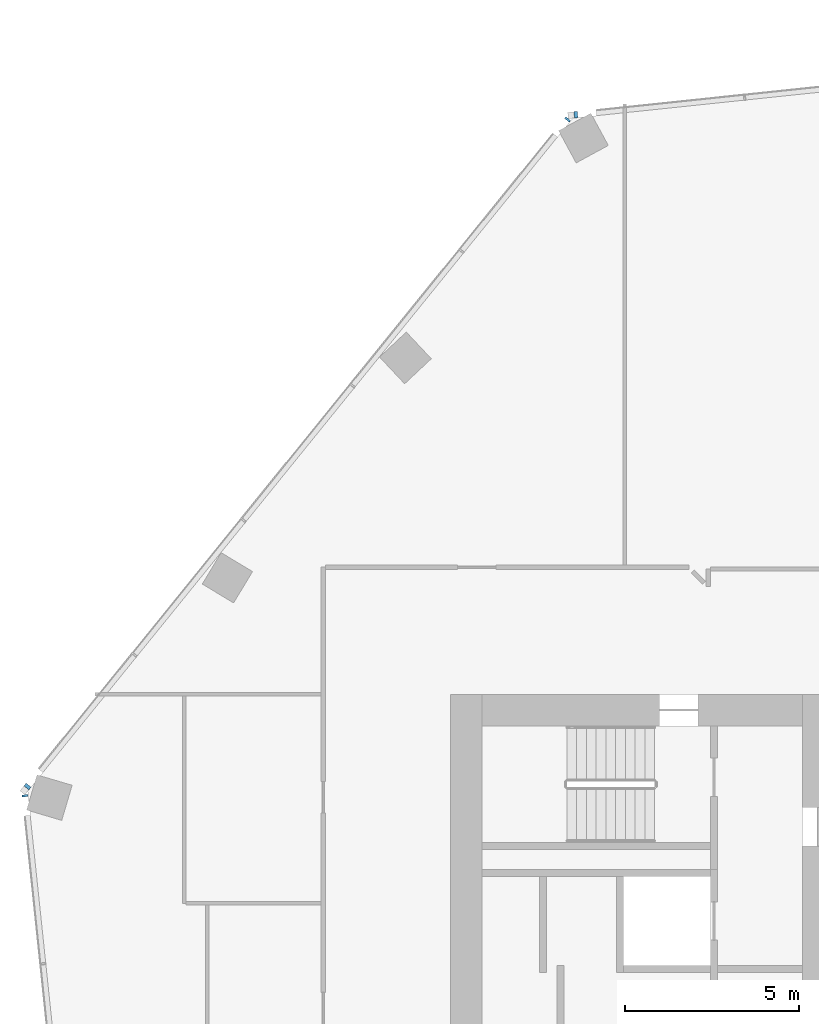
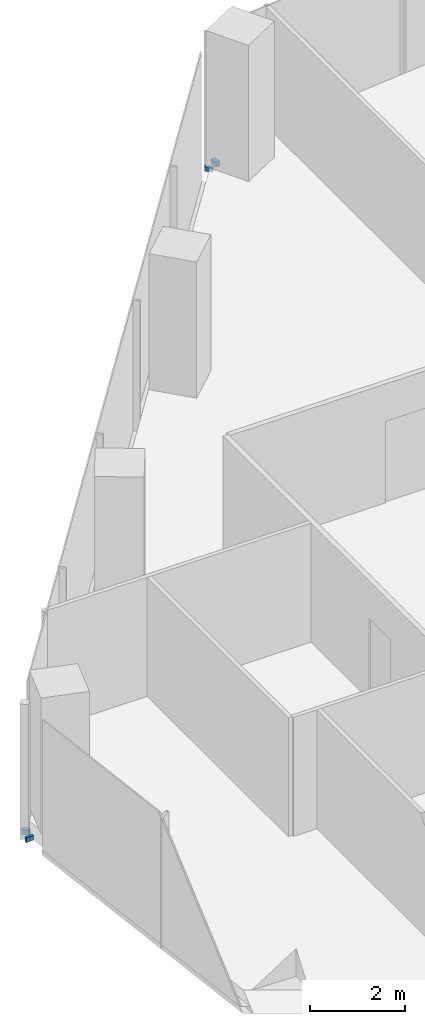
# One storey, part 16 of 26: 4 members, 3 elements without a shape of their own.
"""IFC4 building model written with IfcOpenShell, lengths in metres."""

import ifcopenshell
import ifcopenshell.guid

model = None  # the IFC model being written
_history = None  # IfcOwnerHistory: only IFC2X3 demands one
_inside = {}  # id of a spatial element -> (the spatial element, [elements in it])
_under = {}  # id of a project, library or spatial element -> (it, [spatial elements below it])
_declared = {}  # id of a project -> (the project, [libraries it declares])
_typed = {}  # id of a type object -> (the type object, [elements of that type])
_made_of = {}  # id of a material, layer set ... -> (it, [elements and type objects made of it])


def new_model(schema):
    """Start an empty IFC model of exactly this schema.

    Asked for "IFC4X3", IfcOpenShell would pick the latest addendum, in which some entities
    have other attributes; the version numbers below select the first issue.
    IFC2X3 requires an IfcOwnerHistory on every rooted entity: one is made here for all.
    """
    global model, _history
    if schema == "IFC4X3":
        model = ifcopenshell.file(schema_version=(4, 3, 0, 0))
    else:
        model = ifcopenshell.file(schema=schema)
    _inside.clear()
    _under.clear()
    _declared.clear()
    _typed.clear()
    _made_of.clear()
    _history = None
    if model.schema == "IFC2X3":
        org = make("IfcOrganization", Name="unknown")
        user = make(
            "IfcPersonAndOrganization",
            ThePerson=make("IfcPerson", FamilyName="unknown"),
            TheOrganization=org,
        )
        app = make(
            "IfcApplication",
            ApplicationDeveloper=org,
            Version="unknown",
            ApplicationFullName="unknown",
            ApplicationIdentifier="unknown",
        )
        _history = make(
            "IfcOwnerHistory",
            OwningUser=user,
            OwningApplication=app,
            ChangeAction="ADDED",
            CreationDate=0,
        )
    return model


def make(cls, **values):
    """One entity of the class cls with the attributes given. An attribute that is None is left unset."""
    return model.create_entity(
        cls, **{name: value for name, value in values.items() if value is not None}
    )


def rooted(cls, **values):
    """An entity with a GlobalId (a new one), such as an element, a storey or a relation."""
    return make(cls, GlobalId=ifcopenshell.guid.new(), OwnerHistory=_history, **values)


def si_unit(unit_type, name, prefix=None):
    """IfcSIUnit, for example si_unit("LENGTHUNIT", "METRE", prefix="MILLI")."""
    return make("IfcSIUnit", UnitType=unit_type, Prefix=prefix, Name=name)


def assignment(units):
    """IfcUnitAssignment: the units of a project."""
    return None if units is None else make("IfcUnitAssignment", Units=units)


def point(xyz):
    """IfcCartesianPoint."""
    return None if xyz is None else make("IfcCartesianPoint", Coordinates=xyz)


def direction(xyz):
    """IfcDirection."""
    return None if xyz is None else make("IfcDirection", DirectionRatios=xyz)


def frame(location, z_axis=None, x_axis=None):
    """IfcAxis2Placement3D, a coordinate frame: its origin and axes. An axis left out is left unset."""
    return make(
        "IfcAxis2Placement3D",
        Location=point(location),
        Axis=direction(z_axis),
        RefDirection=direction(x_axis),
    )


def frame_2d(location, x_axis=None):
    """IfcAxis2Placement2D, a coordinate frame in the plane: its origin and x axis."""
    return make(
        "IfcAxis2Placement2D", Location=point(location), RefDirection=direction(x_axis)
    )


def origin():
    """The frame at (0, 0, 0) with its axes left unset."""
    return frame((0.0, 0.0, 0.0))


def origin_2d():
    """The frame at (0, 0) in the plane with its x axis left unset."""
    return frame_2d((0.0, 0.0))


def place(relative_to, where):
    """IfcLocalPlacement: puts the frame where relative to a parent placement (None: the world)."""
    return make(
        "IfcLocalPlacement", PlacementRelTo=relative_to, RelativePlacement=where
    )


def context(
    kind, dimensions, precision=None, world=None, true_north=None, identifier=None
):
    """IfcGeometricRepresentationContext, for example the 3D "Model" context."""
    return make(
        "IfcGeometricRepresentationContext",
        ContextIdentifier=identifier,
        ContextType=kind,
        CoordinateSpaceDimension=dimensions,
        Precision=precision,
        WorldCoordinateSystem=world,
        TrueNorth=true_north,
    )


def subcontext(parent, identifier, kind, view, scale=None):
    """IfcGeometricRepresentationSubContext, for example "Body" below "Model"."""
    return make(
        "IfcGeometricRepresentationSubContext",
        ContextIdentifier=identifier,
        ContextType=kind,
        ParentContext=parent,
        TargetScale=scale,
        TargetView=view,
    )


def project(units=None, contexts=None):
    """IfcProject with its units and contexts."""
    return rooted(
        "IfcProject",
        Name="project",
        RepresentationContexts=contexts,
        UnitsInContext=assignment(units),
    )


def spatial(cls, under=None, at=None, **own):
    """A site, building, storey or space (cls), placed at a placement, below another one or the project."""
    s = rooted(cls, ObjectPlacement=at, **own)
    if under is not None:
        _under.setdefault(under.id(), (under, []))[1].append(s)
    return s


def profile(cls, at=None, kind="AREA", **sizes):
    """A parametric profile (cls). Its sizes go by their IFC names, for example OverallWidth=200.0."""
    return make(cls, ProfileType=kind, Position=at, **sizes)


def rectangle(**sizes):
    """IfcRectangleProfileDef."""
    return profile("IfcRectangleProfileDef", **sizes)


def extrude(swept, where, along, depth):
    """IfcExtrudedAreaSolid: the profile swept, set in the frame where, extruded along a direction by depth."""
    return make(
        "IfcExtrudedAreaSolid",
        SweptArea=swept,
        Position=where,
        ExtrudedDirection=direction(along),
        Depth=depth,
    )


def shape(context_of_items, identifier, shape_type, items):
    """IfcShapeRepresentation: the items that make up one representation, for example the "Body"."""
    return make(
        "IfcShapeRepresentation",
        ContextOfItems=context_of_items,
        RepresentationIdentifier=identifier,
        RepresentationType=shape_type,
        Items=items,
    )


def material(Name=None, Category=None):
    """IfcMaterial."""
    return make("IfcMaterial", Name=Name, Category=Category)


def material_profile(
    of_material, cross_section, Name=None, Category=None, Priority=None
):
    """IfcMaterialProfile: a cross section and its material."""
    return make(
        "IfcMaterialProfile",
        Name=Name,
        Material=of_material,
        Profile=cross_section,
        Priority=Priority,
        Category=Category,
    )


def profile_set(profiles, Name=None, composite=None):
    """IfcMaterialProfileSet."""
    return make(
        "IfcMaterialProfileSet",
        Name=Name,
        MaterialProfiles=profiles,
        CompositeProfile=composite,
    )


def made_of(thing, what):
    """Note that an element or type object is made of a material, layer set ...; save() writes the relation."""
    if what is not None:
        _made_of.setdefault(what.id(), (what, []))[1].append(thing)
    return thing


def type_object(cls, material=None, **own):
    """A type object (cls), such as IfcWallType, which elements share."""
    return made_of(rooted(cls, **own), material)


def element(
    cls,
    number,
    at=None,
    inside=None,
    cuts=None,
    type_object=None,
    material=None,
    context=None,
    identifier="Body",
    shape_type=None,
    held_by="IfcProductDefinitionShape",
    body=None,
    shapes=None,
    **own,
):
    """One element of the class cls, such as IfcWall. Its Tag is "e" and its number.

    at: its placement. inside: the storey or other place that contains it. cuts: it is an
    opening in that element (IfcRelVoidsElement). A single representation is given by context,
    identifier, shape_type and body (its items); several are given by shapes. held_by: the class
    of the entity that holds the representations. save() writes the other relations.
    """
    e = rooted(cls, Tag="e%d" % number, ObjectPlacement=at, **own)
    if body is not None:
        shapes = [shape(context, identifier, shape_type, body)]
    if shapes is not None:
        e.Representation = make(held_by, Representations=shapes)
    if inside is not None:
        _inside.setdefault(inside.id(), (inside, []))[1].append(e)
    if cuts is not None:
        rooted(
            "IfcRelVoidsElement", RelatingBuildingElement=cuts, RelatedOpeningElement=e
        )
    if type_object is not None:
        _typed.setdefault(type_object.id(), (type_object, []))[1].append(e)
    return made_of(e, material)


def aggregate(whole, parts):
    """IfcRelAggregates: a whole, such as a stair, and the parts it consists of."""
    return rooted("IfcRelAggregates", RelatingObject=whole, RelatedObjects=parts)


def save(model, path):
    """Write the relations noted so far, then the file.

    IfcRelAggregates (storeys below a building ...), IfcRelContainedInSpatialStructure (elements
    in a storey), IfcRelDefinesByType, IfcRelAssociatesMaterial and IfcRelDeclares: one each for
    every whole, place, type object, material and project.
    """
    for whole, parts in _under.values():
        aggregate(whole, parts)
    for where, things in _inside.values():
        rooted(
            "IfcRelContainedInSpatialStructure",
            RelatedElements=things,
            RelatingStructure=where,
        )
    for kind, things in _typed.values():
        rooted("IfcRelDefinesByType", RelatedObjects=things, RelatingType=kind)
    for what, things in _made_of.values():
        rooted("IfcRelAssociatesMaterial", RelatedObjects=things, RelatingMaterial=what)
    for by, libraries in _declared.values():
        rooted("IfcRelDeclares", RelatingContext=by, RelatedDefinitions=libraries)
    model.write(path)


model = new_model("IFC4")

# Units and contexts
model_context = context("Model", 3, precision=1e-05, world=origin(), true_north=direction((0.0, 1.0)))
body_context = subcontext(model_context, "Body", "Model", "MODEL_VIEW")
ifc_project = project(units=[si_unit("LENGTHUNIT", "METRE"), si_unit("AREAUNIT", "SQUARE_METRE"), si_unit("VOLUMEUNIT", "CUBIC_METRE"), si_unit("PLANEANGLEUNIT", "RADIAN"), si_unit("MASSUNIT", "GRAM", prefix="KILO")], contexts=[model_context])

# Site, building, storey
site_placement = place(None, origin())
site = spatial("IfcSite", under=ifc_project, at=site_placement, CompositionType="ELEMENT")
building_placement = place(site_placement, origin())
building = spatial("IfcBuilding", under=site, at=building_placement, Name="Orlundy Tower", CompositionType="ELEMENT")
storey_placement = place(building_placement, frame((0.0, 0.0, 214.0)))
storey = spatial("IfcBuildingStorey", under=building, at=storey_placement, Name="L56", CompositionType="ELEMENT", Elevation=214.0)

# Curtain wall, member
ifc_material_1 = material(Name="Aluminium bronze anodised", Category="aluminium")
curtain_wall_type = type_object("IfcCurtainWallType", Name="CW1 wall", PredefinedType="NOTDEFINED", material=ifc_material_1)
curtain_wall_1_placement = place(storey_placement, origin())
curtain_wall_1 = element("IfcCurtainWall", 1, at=curtain_wall_1_placement, inside=storey, type_object=curtain_wall_type, Name="CW1 run 02", PredefinedType="NOTDEFINED")
ifc_material_2 = material(Name="Aluminium bronze anodised", Category="aluminium")
ifc_material_profile = material_profile(ifc_material_2, rectangle(XDim=0.179931640625, YDim=0.1201171875, at=origin_2d()), Name="CW1 transom 180x120")
ifc_profile_set = profile_set([ifc_material_profile], Name="Aluminium bronze anodised")
member_type = type_object("IfcMemberType", Name="CW1 transom 180x120", PredefinedType="USERDEFINED", material=ifc_profile_set)
member_1_placement = place(storey_placement, frame((-31.208740234375, 9.0625, -0.340087890625), z_axis=(-0.104267266743, 0.994549313552, 0.0), x_axis=(-0.994549313552, -0.104267266743, 0.0)))
member_1 = element("IfcMember", 2, at=member_1_placement, type_object=member_type, Name="CW1 transom", ObjectType="TRANSOM", PredefinedType="USERDEFINED", context=body_context, shape_type="SweptSolid", body=[
    extrude(rectangle(XDim=0.179931640625, YDim=0.1201171875, at=origin_2d()), origin(), (0.0, 0.0, 1.0), 0.060791015625),
])
aggregate(curtain_wall_1, [member_1])

# Curtain wall, members
curtain_wall_2_placement = place(storey_placement, origin())
curtain_wall_2 = element("IfcCurtainWall", 3, at=curtain_wall_2_placement, inside=storey, type_object=curtain_wall_type, Name="CW1 run 03", PredefinedType="NOTDEFINED")
member_2_placement = place(storey_placement, frame((-31.171875, 9.319580078125, -0.340087890625), z_axis=(0.630125535101, 0.776493277507, 0.0), x_axis=(-0.776493277507, 0.630125535101, 0.0)))
member_2 = element("IfcMember", 4, at=member_2_placement, type_object=member_type, Name="CW1 transom", ObjectType="TRANSOM", PredefinedType="USERDEFINED", context=body_context, shape_type="SweptSolid", body=[
    extrude(rectangle(XDim=0.179931640625, YDim=0.1201171875, at=origin_2d()), origin(), (0.0, 0.0, 1.0), 0.098388671875),
])
member_3_placement = place(storey_placement, frame((-15.6591796875, 28.47607421875, -0.340087890625), z_axis=(0.629542030001, 0.776966429431, 0.0), x_axis=(-0.776966429431, 0.629542030001, 0.0)))
member_3 = element("IfcMember", 5, at=member_3_placement, type_object=member_type, Name="CW1 transom", ObjectType="TRANSOM", PredefinedType="USERDEFINED", context=body_context, shape_type="SweptSolid", body=[
    extrude(rectangle(XDim=0.179931640625, YDim=0.1201171875, at=origin_2d()), origin(), (0.0, 0.0, 1.0), 0.061279296875),
])
aggregate(curtain_wall_2, [member_2, member_3])

# Curtain wall, member
curtain_wall_3_placement = place(storey_placement, origin())
curtain_wall_3 = element("IfcCurtainWall", 6, at=curtain_wall_3_placement, inside=storey, type_object=curtain_wall_type, Name="CW1 run 04", PredefinedType="NOTDEFINED")
member_4_placement = place(storey_placement, frame((-15.450927734375, 28.632080078125, -0.340087890625), z_axis=(0.994559679357, 0.104168345469, 0.0), x_axis=(-0.104168345469, 0.994559679357, 0.0)))
member_4 = element("IfcMember", 7, at=member_4_placement, type_object=member_type, Name="CW1 transom", ObjectType="TRANSOM", PredefinedType="USERDEFINED", context=body_context, shape_type="SweptSolid", body=[
    extrude(rectangle(XDim=0.179931640625, YDim=0.1201171875, at=origin_2d()), origin(), (0.0, 0.0, 1.0), 0.098388671875),
])
aggregate(curtain_wall_3, [member_4])

save(model, "model.ifc")
